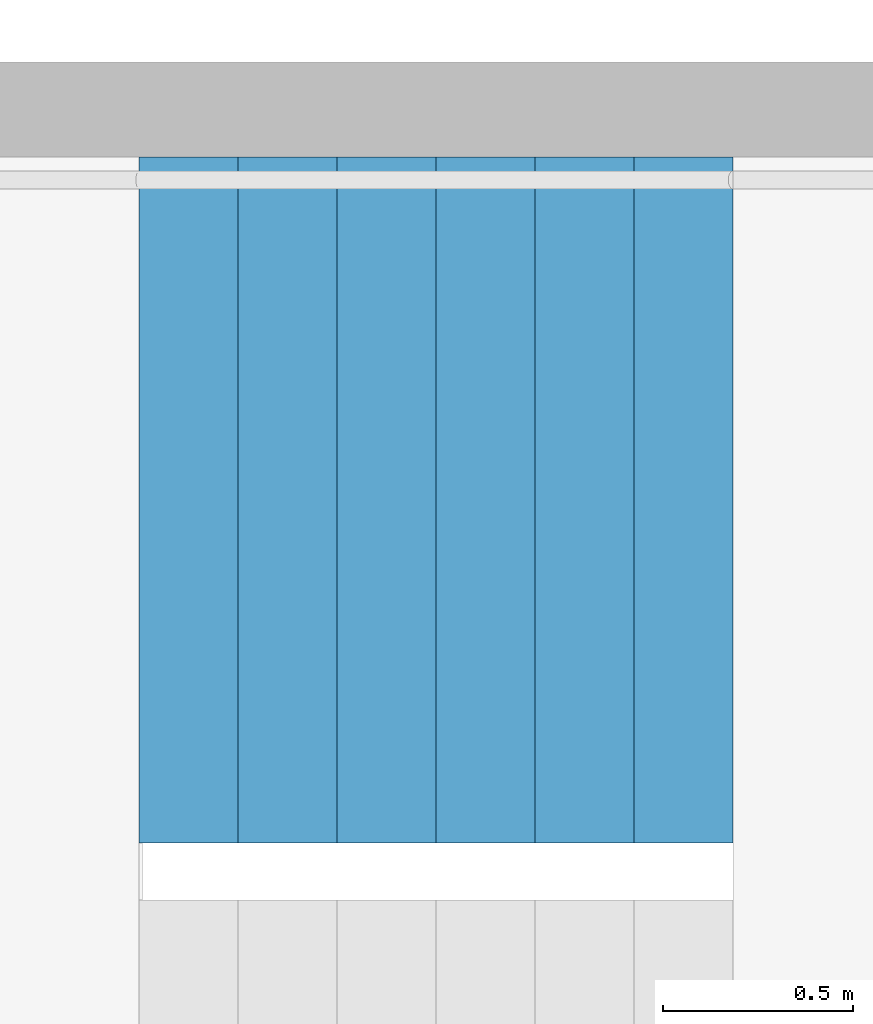
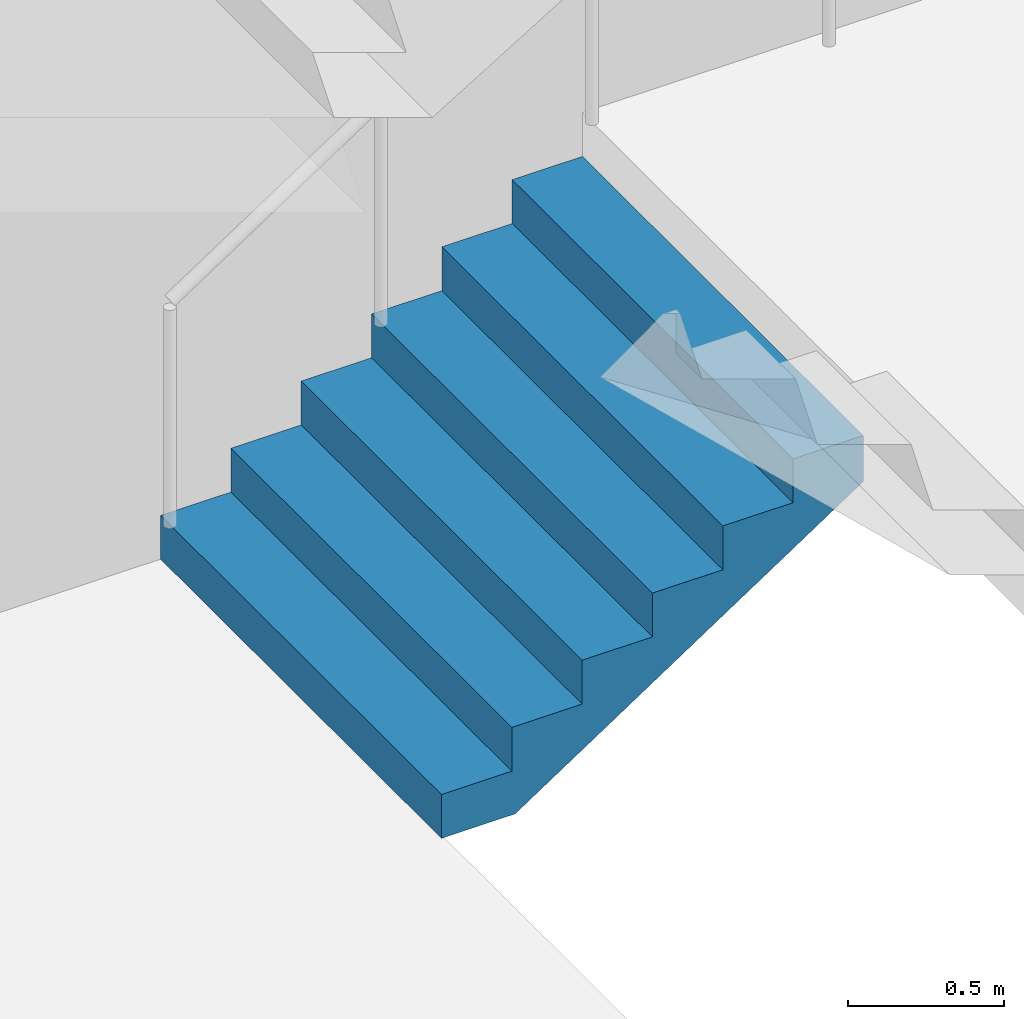
# One storey, part 37 of 53: 1 stair flight, 1 element without a shape of its own.
"""IFC4 building model written with IfcOpenShell, lengths in metres."""

from ifc_helpers import new_model, si_unit, direction, frame, origin, place, context, subcontext, project, spatial, triangles, material, type_object, element, aggregate, save


model = new_model("IFC4")

# Units and contexts
model_context = context("Model", 3, precision=1e-05, world=origin(), true_north=direction((0.0, 1.0)))
body_context = subcontext(model_context, "Body", "Model", "MODEL_VIEW")
ifc_project = project(units=[si_unit("LENGTHUNIT", "METRE"), si_unit("AREAUNIT", "SQUARE_METRE"), si_unit("VOLUMEUNIT", "CUBIC_METRE"), si_unit("PLANEANGLEUNIT", "RADIAN"), si_unit("MASSUNIT", "GRAM", prefix="KILO")], contexts=[model_context])

# Site, building, storey
site_placement = place(None, origin())
site = spatial("IfcSite", under=ifc_project, at=site_placement, CompositionType="ELEMENT")
building_placement = place(site_placement, origin())
building = spatial("IfcBuilding", under=site, at=building_placement, Name="Hakoniwa Tower and Hamabe Station Hall", CompositionType="ELEMENT")
storey_placement = place(building_placement, frame((0.0, 0.0, 15.0)))
storey = spatial("IfcBuildingStorey", under=building, at=storey_placement, Name="L03", CompositionType="ELEMENT", Elevation=15.0)

# Stair, stair flight
ifc_material_1 = material(Name="Concrete C40", Category="concrete")
stair_type = type_object("IfcStairType", Name="ESCAPE STAIR 1800", PredefinedType="HALF_TURN_STAIR", material=ifc_material_1)
stair_placement = place(storey_placement, origin())
stair = element("IfcStair", 1, at=stair_placement, inside=storey, type_object=stair_type, Name="Escape stair ST-4 L03", PredefinedType="HALF_TURN_STAIR")
ifc_material_2 = material(Name="Concrete C40", Category="concrete")
stair_flight_type = type_object("IfcStairFlightType", Name="STAIR FLIGHT 1800", PredefinedType="STRAIGHT", material=ifc_material_2)
stair_flight_placement = place(storey_placement, frame((23.39990234375, -4.64990234375, 0.0), z_axis=(0.0, 0.0, 1.0), x_axis=(1.0, 0.0, 0.0)))
stair_flight = element("IfcStairFlight", 2, at=stair_flight_placement, type_object=stair_flight_type, Name="ST-4 flight 1", NumberOfRisers=7, NumberOfTreads=6, PredefinedType="STRAIGHT", RiserHeight=0.171428571, TreadLength=0.26, context=body_context, shape_type="Tessellation", body=[
    triangles([(0.0, 0.89990234375, 0.0), (0.260009765625, 0.89990234375, 0.0), (0.272216796875, 0.89990234375, 0.0), (0.52001953125, 0.89990234375, 0.163330078125), (0.780029296875, 0.89990234375, 0.334716796875), (1.0400390625, 0.89990234375, 0.506103515625), (1.300048828125, 0.89990234375, 0.677490234375), (1.56005859375, 0.89990234375, 0.84912109375), (1.56005859375, 0.89990234375, 1.028564453125), (1.300048828125, 0.89990234375, 1.028564453125), (1.300048828125, 0.89990234375, 0.857177734375), (1.0400390625, 0.89990234375, 0.857177734375), (1.0400390625, 0.89990234375, 0.685791015625), (0.780029296875, 0.89990234375, 0.685791015625), (0.780029296875, 0.89990234375, 0.514404296875), (0.52001953125, 0.89990234375, 0.514404296875), (0.52001953125, 0.89990234375, 0.3427734375), (0.272216796875, 0.89990234375, 0.3427734375), (0.260009765625, 0.89990234375, 0.3427734375), (0.260009765625, 0.89990234375, 0.17138671875), (0.0, 0.89990234375, 0.17138671875), (0.0, 0.06005859375, 0.0), (0.260009765625, 0.06005859375, 0.0), (0.272216796875, 0.06005859375, 0.0), (0.52001953125, 0.06005859375, 0.163330078125), (0.780029296875, 0.06005859375, 0.334716796875), (1.0400390625, 0.06005859375, 0.506103515625), (1.300048828125, 0.06005859375, 0.677490234375), (1.56005859375, 0.06005859375, 0.84912109375), (1.56005859375, 0.06005859375, 1.028564453125), (1.300048828125, 0.06005859375, 1.028564453125), (1.300048828125, 0.06005859375, 0.857177734375), (1.0400390625, 0.06005859375, 0.857177734375), (1.0400390625, 0.06005859375, 0.685791015625), (0.780029296875, 0.06005859375, 0.685791015625), (0.780029296875, 0.06005859375, 0.514404296875), (0.52001953125, 0.06005859375, 0.514404296875), (0.52001953125, 0.06005859375, 0.3427734375), (0.272216796875, 0.06005859375, 0.3427734375), (0.260009765625, 0.06005859375, 0.3427734375), (0.260009765625, 0.06005859375, 0.17138671875), (0.0, 0.06005859375, 0.17138671875), (0.0, 0.049072265625, 0.0), (0.260009765625, 0.049072265625, 0.0), (0.272216796875, 0.049072265625, 0.0), (0.52001953125, 0.049072265625, 0.163330078125), (0.780029296875, 0.049072265625, 0.334716796875), (1.0400390625, 0.049072265625, 0.506103515625), (1.300048828125, 0.049072265625, 0.677490234375), (1.56005859375, 0.049072265625, 0.84912109375), (1.56005859375, 0.049072265625, 1.028564453125), (1.300048828125, 0.049072265625, 1.028564453125), (1.300048828125, 0.049072265625, 0.857177734375), (1.0400390625, 0.049072265625, 0.857177734375), (1.0400390625, 0.049072265625, 0.685791015625), (0.780029296875, 0.049072265625, 0.685791015625), (0.780029296875, 0.049072265625, 0.514404296875), (0.52001953125, 0.049072265625, 0.514404296875), (0.52001953125, 0.049072265625, 0.3427734375), (0.272216796875, 0.049072265625, 0.3427734375), (0.260009765625, 0.049072265625, 0.3427734375), (0.260009765625, 0.049072265625, 0.17138671875), (0.0, 0.049072265625, 0.17138671875), (0.0, 0.0380859375, 0.0), (0.260009765625, 0.0380859375, 0.0), (0.272216796875, 0.0380859375, 0.0), (0.52001953125, 0.0380859375, 0.163330078125), (0.780029296875, 0.0380859375, 0.334716796875), (1.0400390625, 0.0380859375, 0.506103515625), (1.300048828125, 0.0380859375, 0.677490234375), (1.56005859375, 0.0380859375, 0.84912109375), (1.56005859375, 0.0380859375, 1.028564453125), (1.300048828125, 0.0380859375, 1.028564453125), (1.300048828125, 0.0380859375, 0.857177734375), (1.0400390625, 0.0380859375, 0.857177734375), (1.0400390625, 0.0380859375, 0.685791015625), (0.780029296875, 0.0380859375, 0.685791015625), (0.780029296875, 0.0380859375, 0.514404296875), (0.52001953125, 0.0380859375, 0.514404296875), (0.52001953125, 0.0380859375, 0.3427734375), (0.272216796875, 0.0380859375, 0.3427734375), (0.260009765625, 0.0380859375, 0.3427734375), (0.260009765625, 0.0380859375, 0.17138671875), (0.0, 0.0380859375, 0.17138671875), (0.0, 0.02734375, 0.0), (0.260009765625, 0.02734375, 0.0), (0.272216796875, 0.02734375, 0.0), (0.52001953125, 0.02734375, 0.163330078125), (0.780029296875, 0.02734375, 0.334716796875), (1.0400390625, 0.02734375, 0.506103515625), (1.300048828125, 0.02734375, 0.677490234375), (1.56005859375, 0.02734375, 0.84912109375), (1.56005859375, 0.02734375, 1.028564453125), (1.300048828125, 0.02734375, 1.028564453125), (1.300048828125, 0.02734375, 0.857177734375), (1.0400390625, 0.02734375, 0.857177734375), (1.0400390625, 0.02734375, 0.685791015625), (0.780029296875, 0.02734375, 0.685791015625), (0.780029296875, 0.02734375, 0.514404296875), (0.52001953125, 0.02734375, 0.514404296875), (0.52001953125, 0.02734375, 0.3427734375), (0.272216796875, 0.02734375, 0.3427734375), (0.260009765625, 0.02734375, 0.3427734375), (0.260009765625, 0.02734375, 0.17138671875), (0.0, 0.02734375, 0.17138671875), (0.0, 0.016357421875, 0.0), (0.260009765625, 0.016357421875, 0.0), (0.272216796875, 0.016357421875, 0.0), (0.52001953125, 0.016357421875, 0.163330078125), (0.780029296875, 0.016357421875, 0.334716796875), (1.0400390625, 0.016357421875, 0.506103515625), (1.300048828125, 0.016357421875, 0.677490234375), (1.56005859375, 0.016357421875, 0.84912109375), (1.56005859375, 0.016357421875, 1.028564453125), (1.300048828125, 0.016357421875, 1.028564453125), (1.300048828125, 0.016357421875, 0.857177734375), (1.0400390625, 0.016357421875, 0.857177734375), (1.0400390625, 0.016357421875, 0.685791015625), (0.780029296875, 0.016357421875, 0.685791015625), (0.780029296875, 0.016357421875, 0.514404296875), (0.52001953125, 0.016357421875, 0.514404296875), (0.52001953125, 0.016357421875, 0.3427734375), (0.272216796875, 0.016357421875, 0.3427734375), (0.260009765625, 0.016357421875, 0.3427734375), (0.260009765625, 0.016357421875, 0.17138671875), (0.0, 0.016357421875, 0.17138671875), (0.0, 0.00537109375, 0.0), (0.260009765625, 0.00537109375, 0.0), (0.272216796875, 0.00537109375, 0.0), (0.52001953125, 0.00537109375, 0.163330078125), (0.780029296875, 0.00537109375, 0.334716796875), (1.0400390625, 0.00537109375, 0.506103515625), (1.300048828125, 0.00537109375, 0.677490234375), (1.56005859375, 0.00537109375, 0.84912109375), (1.56005859375, 0.00537109375, 1.028564453125), (1.300048828125, 0.00537109375, 1.028564453125), (1.300048828125, 0.00537109375, 0.857177734375), (1.0400390625, 0.00537109375, 0.857177734375), (1.0400390625, 0.00537109375, 0.685791015625), (0.780029296875, 0.00537109375, 0.685791015625), (0.780029296875, 0.00537109375, 0.514404296875), (0.52001953125, 0.00537109375, 0.514404296875), (0.52001953125, 0.00537109375, 0.3427734375), (0.272216796875, 0.00537109375, 0.3427734375), (0.260009765625, 0.00537109375, 0.3427734375), (0.260009765625, 0.00537109375, 0.17138671875), (0.0, 0.00537109375, 0.17138671875), (0.0, -0.00537109375, 0.0), (0.260009765625, -0.00537109375, 0.0), (0.272216796875, -0.00537109375, 0.0), (0.52001953125, -0.00537109375, 0.163330078125), (0.780029296875, -0.00537109375, 0.334716796875), (1.0400390625, -0.00537109375, 0.506103515625), (1.300048828125, -0.00537109375, 0.677490234375), (1.56005859375, -0.00537109375, 0.84912109375), (1.56005859375, -0.00537109375, 1.028564453125), (1.300048828125, -0.00537109375, 1.028564453125), (1.300048828125, -0.00537109375, 0.857177734375), (1.0400390625, -0.00537109375, 0.857177734375), (1.0400390625, -0.00537109375, 0.685791015625), (0.780029296875, -0.00537109375, 0.685791015625), (0.780029296875, -0.00537109375, 0.514404296875), (0.52001953125, -0.00537109375, 0.514404296875), (0.52001953125, -0.00537109375, 0.3427734375), (0.272216796875, -0.00537109375, 0.3427734375), (0.260009765625, -0.00537109375, 0.3427734375), (0.260009765625, -0.00537109375, 0.17138671875), (0.0, -0.00537109375, 0.17138671875), (0.0, -0.016357421875, 0.0), (0.260009765625, -0.016357421875, 0.0), (0.272216796875, -0.016357421875, 0.0), (0.52001953125, -0.016357421875, 0.163330078125), (0.780029296875, -0.016357421875, 0.334716796875), (1.0400390625, -0.016357421875, 0.506103515625), (1.300048828125, -0.016357421875, 0.677490234375), (1.56005859375, -0.016357421875, 0.84912109375), (1.56005859375, -0.016357421875, 1.028564453125), (1.300048828125, -0.016357421875, 1.028564453125), (1.300048828125, -0.016357421875, 0.857177734375), (1.0400390625, -0.016357421875, 0.857177734375), (1.0400390625, -0.016357421875, 0.685791015625), (0.780029296875, -0.016357421875, 0.685791015625), (0.780029296875, -0.016357421875, 0.514404296875), (0.52001953125, -0.016357421875, 0.514404296875), (0.52001953125, -0.016357421875, 0.3427734375), (0.272216796875, -0.016357421875, 0.3427734375), (0.260009765625, -0.016357421875, 0.3427734375), (0.260009765625, -0.016357421875, 0.17138671875), (0.0, -0.016357421875, 0.17138671875), (0.0, -0.02734375, 0.0), (0.260009765625, -0.02734375, 0.0), (0.272216796875, -0.02734375, 0.0), (0.52001953125, -0.02734375, 0.163330078125), (0.780029296875, -0.02734375, 0.334716796875), (1.0400390625, -0.02734375, 0.506103515625), (1.300048828125, -0.02734375, 0.677490234375), (1.56005859375, -0.02734375, 0.84912109375), (1.56005859375, -0.02734375, 1.028564453125), (1.300048828125, -0.02734375, 1.028564453125), (1.300048828125, -0.02734375, 0.857177734375), (1.0400390625, -0.02734375, 0.857177734375), (1.0400390625, -0.02734375, 0.685791015625), (0.780029296875, -0.02734375, 0.685791015625), (0.780029296875, -0.02734375, 0.514404296875), (0.52001953125, -0.02734375, 0.514404296875), (0.52001953125, -0.02734375, 0.3427734375), (0.272216796875, -0.02734375, 0.3427734375), (0.260009765625, -0.02734375, 0.3427734375), (0.260009765625, -0.02734375, 0.17138671875), (0.0, -0.02734375, 0.17138671875), (0.0, -0.0380859375, 0.0), (0.260009765625, -0.0380859375, 0.0), (0.272216796875, -0.0380859375, 0.0), (0.52001953125, -0.0380859375, 0.163330078125), (0.780029296875, -0.0380859375, 0.334716796875), (1.0400390625, -0.0380859375, 0.506103515625), (1.300048828125, -0.0380859375, 0.677490234375), (1.56005859375, -0.0380859375, 0.84912109375), (1.56005859375, -0.0380859375, 1.028564453125), (1.300048828125, -0.0380859375, 1.028564453125), (1.300048828125, -0.0380859375, 0.857177734375), (1.0400390625, -0.0380859375, 0.857177734375), (1.0400390625, -0.0380859375, 0.685791015625), (0.780029296875, -0.0380859375, 0.685791015625), (0.780029296875, -0.0380859375, 0.514404296875), (0.52001953125, -0.0380859375, 0.514404296875), (0.52001953125, -0.0380859375, 0.3427734375), (0.272216796875, -0.0380859375, 0.3427734375), (0.260009765625, -0.0380859375, 0.3427734375), (0.260009765625, -0.0380859375, 0.17138671875), (0.0, -0.0380859375, 0.17138671875), (0.0, -0.049072265625, 0.0), (0.260009765625, -0.049072265625, 0.0), (0.272216796875, -0.049072265625, 0.0), (0.52001953125, -0.049072265625, 0.163330078125), (0.780029296875, -0.049072265625, 0.334716796875), (1.0400390625, -0.049072265625, 0.506103515625), (1.300048828125, -0.049072265625, 0.677490234375), (1.56005859375, -0.049072265625, 0.84912109375), (1.56005859375, -0.049072265625, 1.028564453125), (1.300048828125, -0.049072265625, 1.028564453125), (1.300048828125, -0.049072265625, 0.857177734375), (1.0400390625, -0.049072265625, 0.857177734375), (1.0400390625, -0.049072265625, 0.685791015625), (0.780029296875, -0.049072265625, 0.685791015625), (0.780029296875, -0.049072265625, 0.514404296875), (0.52001953125, -0.049072265625, 0.514404296875), (0.52001953125, -0.049072265625, 0.3427734375), (0.272216796875, -0.049072265625, 0.3427734375), (0.260009765625, -0.049072265625, 0.3427734375), (0.260009765625, -0.049072265625, 0.17138671875), (0.0, -0.049072265625, 0.17138671875), (0.0, -0.06005859375, 0.0), (0.260009765625, -0.06005859375, 0.0), (0.272216796875, -0.06005859375, 0.0), (0.52001953125, -0.06005859375, 0.163330078125), (0.780029296875, -0.06005859375, 0.334716796875), (1.0400390625, -0.06005859375, 0.506103515625), (1.300048828125, -0.06005859375, 0.677490234375), (1.56005859375, -0.06005859375, 0.84912109375), (1.56005859375, -0.06005859375, 1.028564453125), (1.300048828125, -0.06005859375, 1.028564453125), (1.300048828125, -0.06005859375, 0.857177734375), (1.0400390625, -0.06005859375, 0.857177734375), (1.0400390625, -0.06005859375, 0.685791015625), (0.780029296875, -0.06005859375, 0.685791015625), (0.780029296875, -0.06005859375, 0.514404296875), (0.52001953125, -0.06005859375, 0.514404296875), (0.52001953125, -0.06005859375, 0.3427734375), (0.272216796875, -0.06005859375, 0.3427734375), (0.260009765625, -0.06005859375, 0.3427734375), (0.260009765625, -0.06005859375, 0.17138671875), (0.0, -0.06005859375, 0.17138671875), (0.0, -0.89990234375, 0.0), (0.260009765625, -0.89990234375, 0.0), (0.272216796875, -0.89990234375, 0.0), (0.52001953125, -0.89990234375, 0.163330078125), (0.780029296875, -0.89990234375, 0.334716796875), (1.0400390625, -0.89990234375, 0.506103515625), (1.300048828125, -0.89990234375, 0.677490234375), (1.56005859375, -0.89990234375, 0.84912109375), (1.56005859375, -0.89990234375, 1.028564453125), (1.300048828125, -0.89990234375, 1.028564453125), (1.300048828125, -0.89990234375, 0.857177734375), (1.0400390625, -0.89990234375, 0.857177734375), (1.0400390625, -0.89990234375, 0.685791015625), (0.780029296875, -0.89990234375, 0.685791015625), (0.780029296875, -0.89990234375, 0.514404296875), (0.52001953125, -0.89990234375, 0.514404296875), (0.52001953125, -0.89990234375, 0.3427734375), (0.272216796875, -0.89990234375, 0.3427734375), (0.260009765625, -0.89990234375, 0.3427734375), (0.260009765625, -0.89990234375, 0.17138671875), (0.0, -0.89990234375, 0.17138671875)], [[2, 21, 20], [275, 293, 294], [2, 1, 21], [275, 294, 274], [3, 19, 18], [276, 291, 292], [3, 20, 19], [276, 292, 293], [3, 2, 20], [276, 293, 275], [4, 18, 17], [277, 290, 291], [4, 3, 18], [277, 291, 276], [5, 16, 15], [278, 288, 289], [5, 17, 16], [278, 289, 290], [5, 4, 17], [278, 290, 277], [6, 14, 13], [279, 286, 287], [6, 15, 14], [279, 287, 288], [6, 5, 15], [279, 288, 278], [7, 12, 11], [280, 284, 285], [7, 13, 12], [280, 285, 286], [7, 6, 13], [280, 286, 279], [8, 10, 9], [281, 282, 283], [8, 11, 10], [281, 283, 284], [8, 7, 11], [281, 284, 280], [1, 2, 23], [1, 23, 22], [22, 23, 44], [22, 44, 43], [43, 44, 65], [43, 65, 64], [64, 65, 86], [64, 86, 85], [85, 86, 107], [85, 107, 106], [106, 107, 128], [106, 128, 127], [127, 128, 149], [127, 149, 148], [148, 149, 170], [148, 170, 169], [169, 170, 191], [169, 191, 190], [190, 191, 212], [190, 212, 211], [211, 212, 233], [211, 233, 232], [232, 233, 254], [232, 254, 253], [253, 254, 275], [253, 275, 274], [2, 3, 24], [2, 24, 23], [23, 24, 45], [23, 45, 44], [44, 45, 66], [44, 66, 65], [65, 66, 87], [65, 87, 86], [86, 87, 108], [86, 108, 107], [107, 108, 129], [107, 129, 128], [128, 129, 150], [128, 150, 149], [149, 150, 171], [149, 171, 170], [170, 171, 192], [170, 192, 191], [191, 192, 213], [191, 213, 212], [212, 213, 234], [212, 234, 233], [233, 234, 255], [233, 255, 254], [254, 255, 276], [254, 276, 275], [3, 4, 25], [3, 25, 24], [24, 25, 46], [24, 46, 45], [45, 46, 67], [45, 67, 66], [66, 67, 88], [66, 88, 87], [87, 88, 109], [87, 109, 108], [108, 109, 130], [108, 130, 129], [129, 130, 151], [129, 151, 150], [150, 151, 172], [150, 172, 171], [171, 172, 193], [171, 193, 192], [192, 193, 214], [192, 214, 213], [213, 214, 235], [213, 235, 234], [234, 235, 256], [234, 256, 255], [255, 256, 277], [255, 277, 276], [4, 5, 26], [4, 26, 25], [25, 26, 47], [25, 47, 46], [46, 47, 68], [46, 68, 67], [67, 68, 89], [67, 89, 88], [88, 89, 110], [88, 110, 109], [109, 110, 131], [109, 131, 130], [130, 131, 152], [130, 152, 151], [151, 152, 173], [151, 173, 172], [172, 173, 194], [172, 194, 193], [193, 194, 215], [193, 215, 214], [214, 215, 236], [214, 236, 235], [235, 236, 257], [235, 257, 256], [256, 257, 278], [256, 278, 277], [5, 6, 27], [5, 27, 26], [26, 27, 48], [26, 48, 47], [47, 48, 69], [47, 69, 68], [68, 69, 90], [68, 90, 89], [89, 90, 111], [89, 111, 110], [110, 111, 132], [110, 132, 131], [131, 132, 153], [131, 153, 152], [152, 153, 174], [152, 174, 173], [173, 174, 195], [173, 195, 194], [194, 195, 216], [194, 216, 215], [215, 216, 237], [215, 237, 236], [236, 237, 258], [236, 258, 257], [257, 258, 279], [257, 279, 278], [6, 7, 28], [6, 28, 27], [27, 28, 49], [27, 49, 48], [48, 49, 70], [48, 70, 69], [69, 70, 91], [69, 91, 90], [90, 91, 112], [90, 112, 111], [111, 112, 133], [111, 133, 132], [132, 133, 154], [132, 154, 153], [153, 154, 175], [153, 175, 174], [174, 175, 196], [174, 196, 195], [195, 196, 217], [195, 217, 216], [216, 217, 238], [216, 238, 237], [237, 238, 259], [237, 259, 258], [258, 259, 280], [258, 280, 279], [7, 8, 29], [7, 29, 28], [28, 29, 50], [28, 50, 49], [49, 50, 71], [49, 71, 70], [70, 71, 92], [70, 92, 91], [91, 92, 113], [91, 113, 112], [112, 113, 134], [112, 134, 133], [133, 134, 155], [133, 155, 154], [154, 155, 176], [154, 176, 175], [175, 176, 197], [175, 197, 196], [196, 197, 218], [196, 218, 217], [217, 218, 239], [217, 239, 238], [238, 239, 260], [238, 260, 259], [259, 260, 281], [259, 281, 280], [8, 9, 30], [8, 30, 29], [29, 30, 51], [29, 51, 50], [50, 51, 72], [50, 72, 71], [71, 72, 93], [71, 93, 92], [92, 93, 114], [92, 114, 113], [113, 114, 135], [113, 135, 134], [134, 135, 156], [134, 156, 155], [155, 156, 177], [155, 177, 176], [176, 177, 198], [176, 198, 197], [197, 198, 219], [197, 219, 218], [218, 219, 240], [218, 240, 239], [239, 240, 261], [239, 261, 260], [260, 261, 282], [260, 282, 281], [9, 10, 31], [9, 31, 30], [30, 31, 52], [30, 52, 51], [51, 52, 73], [51, 73, 72], [72, 73, 94], [72, 94, 93], [93, 94, 115], [93, 115, 114], [114, 115, 136], [114, 136, 135], [135, 136, 157], [135, 157, 156], [156, 157, 178], [156, 178, 177], [177, 178, 199], [177, 199, 198], [198, 199, 220], [198, 220, 219], [219, 220, 241], [219, 241, 240], [240, 241, 262], [240, 262, 261], [261, 262, 283], [261, 283, 282], [10, 11, 32], [10, 32, 31], [31, 32, 53], [31, 53, 52], [52, 53, 74], [52, 74, 73], [73, 74, 95], [73, 95, 94], [94, 95, 116], [94, 116, 115], [115, 116, 137], [115, 137, 136], [136, 137, 158], [136, 158, 157], [157, 158, 179], [157, 179, 178], [178, 179, 200], [178, 200, 199], [199, 200, 221], [199, 221, 220], [220, 221, 242], [220, 242, 241], [241, 242, 263], [241, 263, 262], [262, 263, 284], [262, 284, 283], [11, 12, 33], [11, 33, 32], [32, 33, 54], [32, 54, 53], [53, 54, 75], [53, 75, 74], [74, 75, 96], [74, 96, 95], [95, 96, 117], [95, 117, 116], [116, 117, 138], [116, 138, 137], [137, 138, 159], [137, 159, 158], [158, 159, 180], [158, 180, 179], [179, 180, 201], [179, 201, 200], [200, 201, 222], [200, 222, 221], [221, 222, 243], [221, 243, 242], [242, 243, 264], [242, 264, 263], [263, 264, 285], [263, 285, 284], [12, 13, 34], [12, 34, 33], [33, 34, 55], [33, 55, 54], [54, 55, 76], [54, 76, 75], [75, 76, 97], [75, 97, 96], [96, 97, 118], [96, 118, 117], [117, 118, 139], [117, 139, 138], [138, 139, 160], [138, 160, 159], [159, 160, 181], [159, 181, 180], [180, 181, 202], [180, 202, 201], [201, 202, 223], [201, 223, 222], [222, 223, 244], [222, 244, 243], [243, 244, 265], [243, 265, 264], [264, 265, 286], [264, 286, 285], [13, 14, 35], [13, 35, 34], [34, 35, 56], [34, 56, 55], [55, 56, 77], [55, 77, 76], [76, 77, 98], [76, 98, 97], [97, 98, 119], [97, 119, 118], [118, 119, 140], [118, 140, 139], [139, 140, 161], [139, 161, 160], [160, 161, 182], [160, 182, 181], [181, 182, 203], [181, 203, 202], [202, 203, 224], [202, 224, 223], [223, 224, 245], [223, 245, 244], [244, 245, 266], [244, 266, 265], [265, 266, 287], [265, 287, 286], [14, 15, 36], [14, 36, 35], [35, 36, 57], [35, 57, 56], [56, 57, 78], [56, 78, 77], [77, 78, 99], [77, 99, 98], [98, 99, 120], [98, 120, 119], [119, 120, 141], [119, 141, 140], [140, 141, 162], [140, 162, 161], [161, 162, 183], [161, 183, 182], [182, 183, 204], [182, 204, 203], [203, 204, 225], [203, 225, 224], [224, 225, 246], [224, 246, 245], [245, 246, 267], [245, 267, 266], [266, 267, 288], [266, 288, 287], [15, 16, 37], [15, 37, 36], [36, 37, 58], [36, 58, 57], [57, 58, 79], [57, 79, 78], [78, 79, 100], [78, 100, 99], [99, 100, 121], [99, 121, 120], [120, 121, 142], [120, 142, 141], [141, 142, 163], [141, 163, 162], [162, 163, 184], [162, 184, 183], [183, 184, 205], [183, 205, 204], [204, 205, 226], [204, 226, 225], [225, 226, 247], [225, 247, 246], [246, 247, 268], [246, 268, 267], [267, 268, 289], [267, 289, 288], [16, 17, 38], [16, 38, 37], [37, 38, 59], [37, 59, 58], [58, 59, 80], [58, 80, 79], [79, 80, 101], [79, 101, 100], [100, 101, 122], [100, 122, 121], [121, 122, 143], [121, 143, 142], [142, 143, 164], [142, 164, 163], [163, 164, 185], [163, 185, 184], [184, 185, 206], [184, 206, 205], [205, 206, 227], [205, 227, 226], [226, 227, 248], [226, 248, 247], [247, 248, 269], [247, 269, 268], [268, 269, 290], [268, 290, 289], [17, 18, 39], [17, 39, 38], [38, 39, 60], [38, 60, 59], [59, 60, 81], [59, 81, 80], [80, 81, 102], [80, 102, 101], [101, 102, 123], [101, 123, 122], [122, 123, 144], [122, 144, 143], [143, 144, 165], [143, 165, 164], [164, 165, 186], [164, 186, 185], [185, 186, 207], [185, 207, 206], [206, 207, 228], [206, 228, 227], [227, 228, 249], [227, 249, 248], [248, 249, 270], [248, 270, 269], [269, 270, 291], [269, 291, 290], [18, 19, 40], [18, 40, 39], [39, 40, 61], [39, 61, 60], [60, 61, 82], [60, 82, 81], [81, 82, 103], [81, 103, 102], [102, 103, 124], [102, 124, 123], [123, 124, 145], [123, 145, 144], [144, 145, 166], [144, 166, 165], [165, 166, 187], [165, 187, 186], [186, 187, 208], [186, 208, 207], [207, 208, 229], [207, 229, 228], [228, 229, 250], [228, 250, 249], [249, 250, 271], [249, 271, 270], [270, 271, 292], [270, 292, 291], [19, 20, 41], [19, 41, 40], [40, 41, 62], [40, 62, 61], [61, 62, 83], [61, 83, 82], [82, 83, 104], [82, 104, 103], [103, 104, 125], [103, 125, 124], [124, 125, 146], [124, 146, 145], [145, 146, 167], [145, 167, 166], [166, 167, 188], [166, 188, 187], [187, 188, 209], [187, 209, 208], [208, 209, 230], [208, 230, 229], [229, 230, 251], [229, 251, 250], [250, 251, 272], [250, 272, 271], [271, 272, 293], [271, 293, 292], [20, 21, 42], [20, 42, 41], [41, 42, 63], [41, 63, 62], [62, 63, 84], [62, 84, 83], [83, 84, 105], [83, 105, 104], [104, 105, 126], [104, 126, 125], [125, 126, 147], [125, 147, 146], [146, 147, 168], [146, 168, 167], [167, 168, 189], [167, 189, 188], [188, 189, 210], [188, 210, 209], [209, 210, 231], [209, 231, 230], [230, 231, 252], [230, 252, 251], [251, 252, 273], [251, 273, 272], [272, 273, 294], [272, 294, 293], [21, 1, 22], [21, 22, 42], [42, 22, 43], [42, 43, 63], [63, 43, 64], [63, 64, 84], [84, 64, 85], [84, 85, 105], [105, 85, 106], [105, 106, 126], [126, 106, 127], [126, 127, 147], [147, 127, 148], [147, 148, 168], [168, 148, 169], [168, 169, 189], [189, 169, 190], [189, 190, 210], [210, 190, 211], [210, 211, 231], [231, 211, 232], [231, 232, 252], [252, 232, 253], [252, 253, 273], [273, 253, 274], [273, 274, 294]], closed=True),
])
aggregate(stair, [stair_flight])

save(model, "model.ifc")
